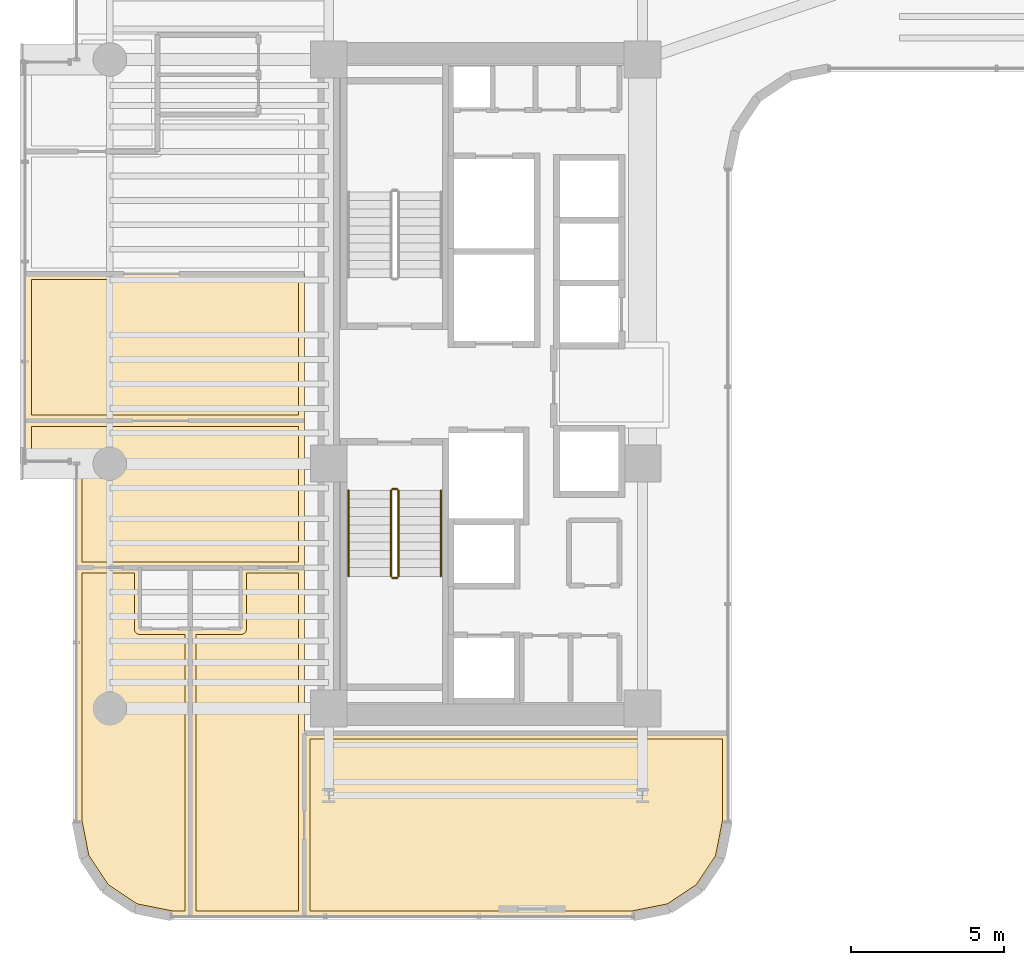
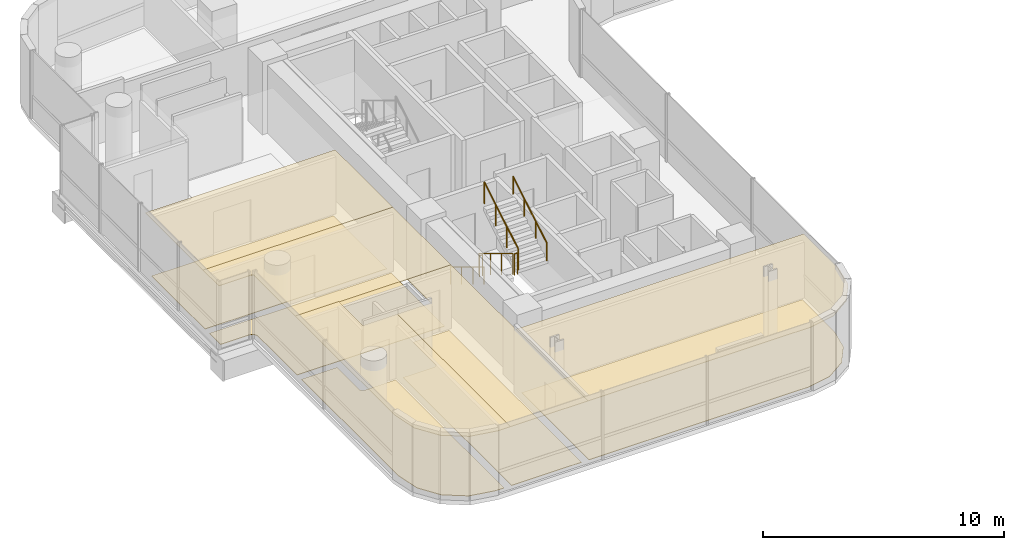
# One storey, part 31 of 35: 10 coverings, 6 railings.
"""IFC4 building model written with IfcOpenShell, lengths in metres."""

import ifcopenshell
import ifcopenshell.guid

model = None  # the IFC model being written
_history = None  # IfcOwnerHistory: only IFC2X3 demands one
_inside = {}  # id of a spatial element -> (the spatial element, [elements in it])
_under = {}  # id of a project, library or spatial element -> (it, [spatial elements below it])
_declared = {}  # id of a project -> (the project, [libraries it declares])
_typed = {}  # id of a type object -> (the type object, [elements of that type])
_made_of = {}  # id of a material, layer set ... -> (it, [elements and type objects made of it])


def new_model(schema):
    """Start an empty IFC model of exactly this schema.

    Asked for "IFC4X3", IfcOpenShell would pick the latest addendum, in which some entities
    have other attributes; the version numbers below select the first issue.
    IFC2X3 requires an IfcOwnerHistory on every rooted entity: one is made here for all.
    """
    global model, _history
    if schema == "IFC4X3":
        model = ifcopenshell.file(schema_version=(4, 3, 0, 0))
    else:
        model = ifcopenshell.file(schema=schema)
    _inside.clear()
    _under.clear()
    _declared.clear()
    _typed.clear()
    _made_of.clear()
    _history = None
    if model.schema == "IFC2X3":
        org = make("IfcOrganization", Name="unknown")
        user = make(
            "IfcPersonAndOrganization",
            ThePerson=make("IfcPerson", FamilyName="unknown"),
            TheOrganization=org,
        )
        app = make(
            "IfcApplication",
            ApplicationDeveloper=org,
            Version="unknown",
            ApplicationFullName="unknown",
            ApplicationIdentifier="unknown",
        )
        _history = make(
            "IfcOwnerHistory",
            OwningUser=user,
            OwningApplication=app,
            ChangeAction="ADDED",
            CreationDate=0,
        )
    return model


def make(cls, **values):
    """One entity of the class cls with the attributes given. An attribute that is None is left unset."""
    return model.create_entity(
        cls, **{name: value for name, value in values.items() if value is not None}
    )


def rooted(cls, **values):
    """An entity with a GlobalId (a new one), such as an element, a storey or a relation."""
    return make(cls, GlobalId=ifcopenshell.guid.new(), OwnerHistory=_history, **values)


def si_unit(unit_type, name, prefix=None):
    """IfcSIUnit, for example si_unit("LENGTHUNIT", "METRE", prefix="MILLI")."""
    return make("IfcSIUnit", UnitType=unit_type, Prefix=prefix, Name=name)


def assignment(units):
    """IfcUnitAssignment: the units of a project."""
    return None if units is None else make("IfcUnitAssignment", Units=units)


def point(xyz):
    """IfcCartesianPoint."""
    return None if xyz is None else make("IfcCartesianPoint", Coordinates=xyz)


def direction(xyz):
    """IfcDirection."""
    return None if xyz is None else make("IfcDirection", DirectionRatios=xyz)


def frame(location, z_axis=None, x_axis=None):
    """IfcAxis2Placement3D, a coordinate frame: its origin and axes. An axis left out is left unset."""
    return make(
        "IfcAxis2Placement3D",
        Location=point(location),
        Axis=direction(z_axis),
        RefDirection=direction(x_axis),
    )


def frame_2d(location, x_axis=None):
    """IfcAxis2Placement2D, a coordinate frame in the plane: its origin and x axis."""
    return make(
        "IfcAxis2Placement2D", Location=point(location), RefDirection=direction(x_axis)
    )


def origin():
    """The frame at (0, 0, 0) with its axes left unset."""
    return frame((0.0, 0.0, 0.0))


def origin_2d():
    """The frame at (0, 0) in the plane with its x axis left unset."""
    return frame_2d((0.0, 0.0))


def place(relative_to, where):
    """IfcLocalPlacement: puts the frame where relative to a parent placement (None: the world)."""
    return make(
        "IfcLocalPlacement", PlacementRelTo=relative_to, RelativePlacement=where
    )


def context(
    kind, dimensions, precision=None, world=None, true_north=None, identifier=None
):
    """IfcGeometricRepresentationContext, for example the 3D "Model" context."""
    return make(
        "IfcGeometricRepresentationContext",
        ContextIdentifier=identifier,
        ContextType=kind,
        CoordinateSpaceDimension=dimensions,
        Precision=precision,
        WorldCoordinateSystem=world,
        TrueNorth=true_north,
    )


def subcontext(parent, identifier, kind, view, scale=None):
    """IfcGeometricRepresentationSubContext, for example "Body" below "Model"."""
    return make(
        "IfcGeometricRepresentationSubContext",
        ContextIdentifier=identifier,
        ContextType=kind,
        ParentContext=parent,
        TargetScale=scale,
        TargetView=view,
    )


def project(units=None, contexts=None):
    """IfcProject with its units and contexts."""
    return rooted(
        "IfcProject",
        Name="project",
        RepresentationContexts=contexts,
        UnitsInContext=assignment(units),
    )


def spatial(cls, under=None, at=None, **own):
    """A site, building, storey or space (cls), placed at a placement, below another one or the project."""
    s = rooted(cls, ObjectPlacement=at, **own)
    if under is not None:
        _under.setdefault(under.id(), (under, []))[1].append(s)
    return s


def polyline(points):
    """IfcPolyline through the points."""
    return make("IfcPolyline", Points=[point(p) for p in points])


def profile(cls, at=None, kind="AREA", **sizes):
    """A parametric profile (cls). Its sizes go by their IFC names, for example OverallWidth=200.0."""
    return make(cls, ProfileType=kind, Position=at, **sizes)


def circle(**sizes):
    """IfcCircleProfileDef."""
    return profile("IfcCircleProfileDef", **sizes)


def outline(outer, holes=None, kind="AREA"):
    """IfcArbitraryClosedProfileDef: a profile drawn as a closed curve; with holes, ...WithVoids."""
    if holes is None:
        return make("IfcArbitraryClosedProfileDef", ProfileType=kind, OuterCurve=outer)
    return make(
        "IfcArbitraryProfileDefWithVoids",
        ProfileType=kind,
        OuterCurve=outer,
        InnerCurves=holes,
    )


def extrude(swept, where, along, depth):
    """IfcExtrudedAreaSolid: the profile swept, set in the frame where, extruded along a direction by depth."""
    return make(
        "IfcExtrudedAreaSolid",
        SweptArea=swept,
        Position=where,
        ExtrudedDirection=direction(along),
        Depth=depth,
    )


def shape(context_of_items, identifier, shape_type, items):
    """IfcShapeRepresentation: the items that make up one representation, for example the "Body"."""
    return make(
        "IfcShapeRepresentation",
        ContextOfItems=context_of_items,
        RepresentationIdentifier=identifier,
        RepresentationType=shape_type,
        Items=items,
    )


def material(Name=None, Category=None):
    """IfcMaterial."""
    return make("IfcMaterial", Name=Name, Category=Category)


def layer(
    of_material, thickness, ventilated=None, Name=None, Category=None, Priority=None
):
    """IfcMaterialLayer: one layer of a wall or slab, of a material (None: an air gap)."""
    return make(
        "IfcMaterialLayer",
        Material=of_material,
        LayerThickness=thickness,
        IsVentilated=ventilated,
        Name=Name,
        Category=Category,
        Priority=Priority,
    )


def layer_set(layers, Name=None):
    """IfcMaterialLayerSet."""
    return make("IfcMaterialLayerSet", MaterialLayers=layers, LayerSetName=Name)


def made_of(thing, what):
    """Note that an element or type object is made of a material, layer set ...; save() writes the relation."""
    if what is not None:
        _made_of.setdefault(what.id(), (what, []))[1].append(thing)
    return thing


def type_object(cls, material=None, **own):
    """A type object (cls), such as IfcWallType, which elements share."""
    return made_of(rooted(cls, **own), material)


def element(
    cls,
    number,
    at=None,
    inside=None,
    cuts=None,
    type_object=None,
    material=None,
    context=None,
    identifier="Body",
    shape_type=None,
    held_by="IfcProductDefinitionShape",
    body=None,
    shapes=None,
    **own,
):
    """One element of the class cls, such as IfcWall. Its Tag is "e" and its number.

    at: its placement. inside: the storey or other place that contains it. cuts: it is an
    opening in that element (IfcRelVoidsElement). A single representation is given by context,
    identifier, shape_type and body (its items); several are given by shapes. held_by: the class
    of the entity that holds the representations. save() writes the other relations.
    """
    e = rooted(cls, Tag="e%d" % number, ObjectPlacement=at, **own)
    if body is not None:
        shapes = [shape(context, identifier, shape_type, body)]
    if shapes is not None:
        e.Representation = make(held_by, Representations=shapes)
    if inside is not None:
        _inside.setdefault(inside.id(), (inside, []))[1].append(e)
    if cuts is not None:
        rooted(
            "IfcRelVoidsElement", RelatingBuildingElement=cuts, RelatedOpeningElement=e
        )
    if type_object is not None:
        _typed.setdefault(type_object.id(), (type_object, []))[1].append(e)
    return made_of(e, material)


def aggregate(whole, parts):
    """IfcRelAggregates: a whole, such as a stair, and the parts it consists of."""
    return rooted("IfcRelAggregates", RelatingObject=whole, RelatedObjects=parts)


def save(model, path):
    """Write the relations noted so far, then the file.

    IfcRelAggregates (storeys below a building ...), IfcRelContainedInSpatialStructure (elements
    in a storey), IfcRelDefinesByType, IfcRelAssociatesMaterial and IfcRelDeclares: one each for
    every whole, place, type object, material and project.
    """
    for whole, parts in _under.values():
        aggregate(whole, parts)
    for where, things in _inside.values():
        rooted(
            "IfcRelContainedInSpatialStructure",
            RelatedElements=things,
            RelatingStructure=where,
        )
    for kind, things in _typed.values():
        rooted("IfcRelDefinesByType", RelatedObjects=things, RelatingType=kind)
    for what, things in _made_of.values():
        rooted("IfcRelAssociatesMaterial", RelatedObjects=things, RelatingMaterial=what)
    for by, libraries in _declared.values():
        rooted("IfcRelDeclares", RelatingContext=by, RelatedDefinitions=libraries)
    model.write(path)


model = new_model("IFC4")

# Units and contexts
model_context = context("Model", 3, precision=1e-05, world=origin(), true_north=direction((0.0, 1.0)))
body_context = subcontext(model_context, "Body", "Model", "MODEL_VIEW")
ifc_project = project(units=[si_unit("LENGTHUNIT", "METRE"), si_unit("AREAUNIT", "SQUARE_METRE"), si_unit("VOLUMEUNIT", "CUBIC_METRE"), si_unit("PLANEANGLEUNIT", "RADIAN"), si_unit("MASSUNIT", "GRAM", prefix="KILO")], contexts=[model_context])

# Site, building, storey
site_placement = place(None, origin())
site = spatial("IfcSite", under=ifc_project, at=site_placement, CompositionType="ELEMENT")
building_placement = place(site_placement, origin())
building = spatial("IfcBuilding", under=site, at=building_placement, Name="Valdorenza Pilgrim Sanctuary Tower", CompositionType="ELEMENT")
storey_placement = place(building_placement, frame((0.0, 0.0, 139.0)))
storey = spatial("IfcBuildingStorey", under=building, at=storey_placement, Name="L35", CompositionType="ELEMENT", Elevation=139.0)

# Coverings
ifc_material_1 = material(Name="Micro-perforated acoustic mineral ceiling tile", Category="gypsum")
ifc_layer_1 = layer(ifc_material_1, 0.02490234375, Name="Micro-perforated acoustic mineral ceiling tile")
ifc_layer_set_1 = layer_set([ifc_layer_1], Name="Micro-perforated acoustic mineral ceiling tile")
covering_type_1 = type_object("IfcCoveringType", Name="COV-CLG-ACU", PredefinedType="CEILING", material=ifc_layer_set_1)
covering_1_placement = place(storey_placement, frame((0.0, 0.0, 3.159912109375)))
element("IfcCovering", 1, at=covering_1_placement, inside=storey, type_object=covering_type_1, Name="L35 Pilgrim Guest Room L35-CS1A Acoustic Ceiling", PredefinedType="CEILING", context=body_context, shape_type="SweptSolid", body=[
    extrude(outline(polyline([(-28.984619140625, -17.16748046875), (-28.986083984375, -17.1669921875), (-28.9873046875, -17.16650390625), (-28.98876953125, -17.166015625), (-28.989990234375, -17.165283203125), (-29.99169921875, -16.495849609375), (-29.992919921875, -16.4951171875), (-29.993896484375, -16.493896484375), (-29.9951171875, -16.492919921875), (-29.995849609375, -16.49169921875), (-30.665283203125, -15.489990234375), (-30.666015625, -15.48876953125), (-30.66650390625, -15.4873046875), (-30.6669921875, -15.486083984375), (-30.66748046875, -15.484619140625), (-30.90478515625, -14.2919921875), (-30.90478515625, -14.29052734375), (-30.905029296875, -14.289306640625), (-30.905029296875, -6.0), (-30.90478515625, -5.99853515625), (-30.90478515625, -5.9970703125), (-30.904296875, -5.99560546875), (-30.90380859375, -5.994384765625), (-30.9033203125, -5.992919921875), (-30.902587890625, -5.99169921875), (-30.901611328125, -5.990478515625), (-30.900634765625, -5.989501953125), (-30.8994140625, -5.98828125), (-30.898193359375, -5.987548828125), (-30.897216796875, -5.98681640625), (-30.895751953125, -5.986083984375), (-30.894287109375, -5.985595703125), (-30.892822265625, -5.9853515625), (-30.8916015625, -5.985107421875), (-30.889892578125, -5.985107421875), (-28.822021484375, -5.985107421875), (-28.820556640625, -5.985107421875), (-28.819091796875, -5.9853515625), (-28.817626953125, -5.985595703125), (-28.81640625, -5.986083984375), (-28.81494140625, -5.98681640625), (-28.813720703125, -5.987548828125), (-28.8125, -5.98828125), (-28.811279296875, -5.989501953125), (-28.810302734375, -5.990478515625), (-28.8095703125, -5.99169921875), (-28.808837890625, -5.992919921875), (-28.80810546875, -5.994384765625), (-28.8076171875, -5.99560546875), (-28.807373046875, -5.9970703125), (-28.80712890625, -5.99853515625), (-28.806884765625, -6.0), (-28.806884765625, -7.987060546875), (-27.169921875, -7.987060546875), (-27.16845703125, -7.987060546875), (-27.1669921875, -7.9873046875), (-27.16552734375, -7.987548828125), (-27.164306640625, -7.988037109375), (-27.162841796875, -7.98876953125), (-27.16162109375, -7.989501953125), (-27.160400390625, -7.990478515625), (-27.159423828125, -7.991455078125), (-27.158447265625, -7.992431640625), (-27.157470703125, -7.99365234375), (-27.15673828125, -7.994873046875), (-27.156005859375, -7.996337890625), (-27.155517578125, -7.99755859375), (-27.1552734375, -7.9990234375), (-27.155029296875, -8.00048828125), (-27.155029296875, -8.001953125), (-27.155029296875, -17.389892578125), (-27.155029296875, -17.3916015625), (-27.1552734375, -17.392822265625), (-27.155517578125, -17.394287109375), (-27.156005859375, -17.395751953125), (-27.15673828125, -17.397216796875), (-27.157470703125, -17.398193359375), (-27.158447265625, -17.3994140625), (-27.159423828125, -17.400634765625), (-27.160400390625, -17.401611328125), (-27.16162109375, -17.402587890625), (-27.162841796875, -17.4033203125), (-27.164306640625, -17.40380859375), (-27.16552734375, -17.404296875), (-27.1669921875, -17.40478515625), (-27.16845703125, -17.40478515625), (-27.169921875, -17.405029296875), (-27.789306640625, -17.405029296875), (-27.79052734375, -17.40478515625), (-27.7919921875, -17.40478515625), (-28.984619140625, -17.16748046875)])), origin(), (0.0, 0.0, 1.0), 0.025146484375),
])
covering_2_placement = place(storey_placement, frame((0.0, 0.0, 3.159912109375)))
element("IfcCovering", 2, at=covering_2_placement, inside=storey, type_object=covering_type_1, Name="L35 Pilgrim Guest Room L35-CS1B Acoustic Ceiling", PredefinedType="CEILING", context=body_context, shape_type="SweptSolid", body=[
    extrude(outline(polyline([(-27.16796875, -17.405029296875), (-27.16943359375, -17.40478515625), (-27.1708984375, -17.40478515625), (-27.17236328125, -17.404296875), (-27.173583984375, -17.40380859375), (-27.175048828125, -17.4033203125), (-27.17626953125, -17.402587890625), (-27.177490234375, -17.401611328125), (-27.1787109375, -17.400634765625), (-27.1796875, -17.3994140625), (-27.180419921875, -17.398193359375), (-27.18115234375, -17.397216796875), (-27.181884765625, -17.395751953125), (-27.182373046875, -17.394287109375), (-27.1826171875, -17.392822265625), (-27.182861328125, -17.3916015625), (-27.18310546875, -17.389892578125), (-27.18310546875, -8.001953125), (-27.182861328125, -8.00048828125), (-27.1826171875, -7.9990234375), (-27.182373046875, -7.99755859375), (-27.181884765625, -7.996337890625), (-27.18115234375, -7.994873046875), (-27.180419921875, -7.99365234375), (-27.1796875, -7.992431640625), (-27.1787109375, -7.991455078125), (-27.177490234375, -7.990478515625), (-27.17626953125, -7.989501953125), (-27.175048828125, -7.98876953125), (-27.173583984375, -7.988037109375), (-27.17236328125, -7.987548828125), (-27.1708984375, -7.9873046875), (-27.16943359375, -7.987060546875), (-27.16796875, -7.987060546875), (-25.532958984375, -7.987060546875), (-25.532958984375, -6.0), (-25.532958984375, -5.99853515625), (-25.53271484375, -5.9970703125), (-25.532470703125, -5.99560546875), (-25.531982421875, -5.994384765625), (-25.53125, -5.992919921875), (-25.530517578125, -5.99169921875), (-25.529541015625, -5.990478515625), (-25.528564453125, -5.989501953125), (-25.527587890625, -5.98828125), (-25.5263671875, -5.987548828125), (-25.525146484375, -5.98681640625), (-25.523681640625, -5.986083984375), (-25.5224609375, -5.985595703125), (-25.52099609375, -5.9853515625), (-25.51953125, -5.985107421875), (-25.51806640625, -5.985107421875), (-23.449951171875, -5.985107421875), (-23.448486328125, -5.985107421875), (-23.447021484375, -5.9853515625), (-23.445556640625, -5.985595703125), (-23.4443359375, -5.986083984375), (-23.44287109375, -5.98681640625), (-23.441650390625, -5.987548828125), (-23.4404296875, -5.98828125), (-23.439453125, -5.989501953125), (-23.4384765625, -5.990478515625), (-23.4375, -5.99169921875), (-23.436767578125, -5.992919921875), (-23.43603515625, -5.994384765625), (-23.435546875, -5.99560546875), (-23.435302734375, -5.9970703125), (-23.43505859375, -5.99853515625), (-23.43505859375, -6.0), (-23.43505859375, -17.389892578125), (-23.43505859375, -17.3916015625), (-23.435302734375, -17.392822265625), (-23.435546875, -17.394287109375), (-23.43603515625, -17.395751953125), (-23.436767578125, -17.397216796875), (-23.4375, -17.398193359375), (-23.4384765625, -17.3994140625), (-23.439453125, -17.400634765625), (-23.4404296875, -17.401611328125), (-23.441650390625, -17.402587890625), (-23.44287109375, -17.4033203125), (-23.4443359375, -17.40380859375), (-23.445556640625, -17.404296875), (-23.447021484375, -17.40478515625), (-23.448486328125, -17.40478515625), (-23.449951171875, -17.405029296875), (-27.16796875, -17.405029296875)])), origin(), (0.0, 0.0, 1.0), 0.025146484375),
])
covering_3_placement = place(storey_placement, frame((0.0, 0.0, 3.159912109375)))
element("IfcCovering", 3, at=covering_3_placement, inside=storey, type_object=covering_type_1, Name="L35 South Contemplation Salon L35 Acoustic Ceiling", PredefinedType="CEILING", context=body_context, shape_type="SweptSolid", body=[
    extrude(outline(polyline([(-28.82373046875, -6.012939453125), (-30.889892578125, -6.012939453125), (-30.8916015625, -6.012939453125), (-30.892822265625, -6.0126953125), (-30.894287109375, -6.012451171875), (-30.895751953125, -6.011962890625), (-30.897216796875, -6.01123046875), (-30.898193359375, -6.010498046875), (-30.8994140625, -6.009521484375), (-30.900634765625, -6.008544921875), (-30.901611328125, -6.007568359375), (-30.902587890625, -6.00634765625), (-30.9033203125, -6.005126953125), (-30.90380859375, -6.003662109375), (-30.904296875, -6.00244140625), (-30.90478515625, -6.0009765625), (-30.90478515625, -5.99951171875), (-30.905029296875, -5.998046875), (-30.905029296875, -2.600341796875), (-30.905517578125, -2.5908203125), (-30.90673828125, -2.58154296875), (-30.9091796875, -2.572509765625), (-30.912109375, -2.563720703125), (-30.916259765625, -2.55517578125), (-30.9208984375, -2.547119140625), (-30.926513671875, -2.539794921875), (-30.932861328125, -2.53271484375), (-30.939697265625, -2.526611328125), (-30.947265625, -2.52099609375), (-30.955078125, -2.51611328125), (-30.963623046875, -2.51220703125), (-30.972412109375, -2.509033203125), (-30.9814453125, -2.5068359375), (-30.99072265625, -2.505615234375), (-31.00048828125, -2.5048828125), (-32.5400390625, -2.5048828125), (-32.54150390625, -2.5048828125), (-32.54296875, -2.504638671875), (-32.54443359375, -2.50439453125), (-32.545654296875, -2.50390625), (-32.547119140625, -2.503173828125), (-32.54833984375, -2.50244140625), (-32.549560546875, -2.501708984375), (-32.550537109375, -2.50048828125), (-32.551513671875, -2.49951171875), (-32.552490234375, -2.498291015625), (-32.55322265625, -2.4970703125), (-32.553955078125, -2.49560546875), (-32.554443359375, -2.494384765625), (-32.5546875, -2.492919921875), (-32.554931640625, -2.491455078125), (-32.554931640625, -2.489990234375), (-32.554931640625, -1.199951171875), (-32.554931640625, -1.198486328125), (-32.5546875, -1.197021484375), (-32.554443359375, -1.195556640625), (-32.553955078125, -1.1943359375), (-32.55322265625, -1.19287109375), (-32.552490234375, -1.191650390625), (-32.551513671875, -1.1904296875), (-32.550537109375, -1.189453125), (-32.549560546875, -1.1884765625), (-32.54833984375, -1.1875), (-32.547119140625, -1.186767578125), (-32.545654296875, -1.18603515625), (-32.54443359375, -1.185546875), (-32.54296875, -1.185302734375), (-32.54150390625, -1.18505859375), (-32.5400390625, -1.18505859375), (-23.449951171875, -1.18505859375), (-23.448486328125, -1.18505859375), (-23.447021484375, -1.185302734375), (-23.445556640625, -1.185546875), (-23.4443359375, -1.18603515625), (-23.44287109375, -1.186767578125), (-23.441650390625, -1.1875), (-23.4404296875, -1.1884765625), (-23.439453125, -1.189453125), (-23.4384765625, -1.1904296875), (-23.4375, -1.191650390625), (-23.436767578125, -1.19287109375), (-23.43603515625, -1.1943359375), (-23.435546875, -1.195556640625), (-23.435302734375, -1.197021484375), (-23.43505859375, -1.198486328125), (-23.43505859375, -1.199951171875), (-23.43505859375, -5.998046875), (-23.43505859375, -5.99951171875), (-23.435302734375, -6.0009765625), (-23.435546875, -6.00244140625), (-23.43603515625, -6.003662109375), (-23.436767578125, -6.005126953125), (-23.4375, -6.00634765625), (-23.4384765625, -6.007568359375), (-23.439453125, -6.008544921875), (-23.4404296875, -6.009521484375), (-23.441650390625, -6.010498046875), (-23.44287109375, -6.01123046875), (-23.4443359375, -6.011962890625), (-23.445556640625, -6.012451171875), (-23.447021484375, -6.0126953125), (-23.448486328125, -6.012939453125), (-23.449951171875, -6.012939453125), (-25.516357421875, -6.012939453125), (-25.516845703125, -6.01318359375), (-25.5185546875, -6.01318359375), (-25.52001953125, -6.01318359375), (-25.521484375, -6.01318359375), (-25.521728515625, -6.012939453125), (-27.166259765625, -6.012939453125), (-27.1669921875, -6.01318359375), (-27.16845703125, -6.01318359375), (-27.169921875, -6.01318359375), (-27.17138671875, -6.01318359375), (-27.171875, -6.012939453125), (-28.818359375, -6.012939453125), (-28.81884765625, -6.01318359375), (-28.820556640625, -6.01318359375), (-28.822021484375, -6.01318359375), (-28.823486328125, -6.01318359375), (-28.82373046875, -6.012939453125)])), origin(), (0.0, 0.0, 1.0), 0.025146484375),
])
covering_4_placement = place(storey_placement, frame((0.0, 0.0, 3.159912109375)))
element("IfcCovering", 4, at=covering_4_placement, inside=storey, type_object=covering_type_1, Name="L35 Pilgrim Reading Lounge L35 Acoustic Ceiling", PredefinedType="CEILING", context=body_context, shape_type="SweptSolid", body=[
    extrude(outline(polyline([(-23.43505859375, -1.197998046875), (-23.43505859375, -1.199462890625), (-23.435302734375, -1.200927734375), (-23.435546875, -1.202392578125), (-23.43603515625, -1.20361328125), (-23.436767578125, -1.205078125), (-23.4375, -1.206298828125), (-23.4384765625, -1.20751953125), (-23.439453125, -1.20849609375), (-23.4404296875, -1.209716796875), (-23.441650390625, -1.21044921875), (-23.44287109375, -1.211181640625), (-23.4443359375, -1.2119140625), (-23.445556640625, -1.21240234375), (-23.447021484375, -1.212646484375), (-23.448486328125, -1.212890625), (-23.449951171875, -1.212890625), (-32.5400390625, -1.212890625), (-32.54150390625, -1.212890625), (-32.54296875, -1.212646484375), (-32.54443359375, -1.21240234375), (-32.545654296875, -1.2119140625), (-32.547119140625, -1.211181640625), (-32.54833984375, -1.21044921875), (-32.549560546875, -1.209716796875), (-32.550537109375, -1.20849609375), (-32.551513671875, -1.20751953125), (-32.552490234375, -1.206298828125), (-32.55322265625, -1.205078125), (-32.553955078125, -1.20361328125), (-32.554443359375, -1.202392578125), (-32.5546875, -1.200927734375), (-32.554931640625, -1.199462890625), (-32.554931640625, -1.197998046875), (-32.554931640625, 3.60009765625), (-32.554931640625, 3.6015625), (-32.5546875, 3.602783203125), (-32.554443359375, 3.6044921875), (-32.553955078125, 3.605712890625), (-32.55322265625, 3.607177734375), (-32.552490234375, 3.6083984375), (-32.551513671875, 3.609619140625), (-32.550537109375, 3.610595703125), (-32.549560546875, 3.611572265625), (-32.54833984375, 3.612548828125), (-32.547119140625, 3.61328125), (-32.545654296875, 3.614013671875), (-32.54443359375, 3.614501953125), (-32.54296875, 3.61474609375), (-32.54150390625, 3.614990234375), (-32.5400390625, 3.614990234375), (-23.449951171875, 3.614990234375), (-23.448486328125, 3.614990234375), (-23.447021484375, 3.61474609375), (-23.445556640625, 3.614501953125), (-23.4443359375, 3.614013671875), (-23.44287109375, 3.61328125), (-23.441650390625, 3.612548828125), (-23.4404296875, 3.611572265625), (-23.439453125, 3.610595703125), (-23.4384765625, 3.609619140625), (-23.4375, 3.6083984375), (-23.436767578125, 3.607177734375), (-23.43603515625, 3.605712890625), (-23.435546875, 3.6044921875), (-23.435302734375, 3.602783203125), (-23.43505859375, 3.6015625), (-23.43505859375, 3.60009765625), (-23.43505859375, -1.197998046875)])), origin(), (0.0, 0.0, 1.0), 0.025146484375),
])
covering_5_placement = place(storey_placement, frame((0.0, 0.0, 3.159912109375)))
element("IfcCovering", 5, at=covering_5_placement, inside=storey, type_object=covering_type_1, Name="L35 Sacred Archive Reading Library L35-S Acoustic Ceiling", PredefinedType="CEILING", context=body_context, shape_type="SweptSolid", body=[
    extrude(outline(polyline([(-9.610107421875, -11.405029296875), (-9.6083984375, -11.405029296875), (-9.607177734375, -11.4052734375), (-9.605712890625, -11.405517578125), (-9.604248046875, -11.406005859375), (-9.602783203125, -11.40673828125), (-9.601806640625, -11.407470703125), (-9.6005859375, -11.408447265625), (-9.599365234375, -11.409423828125), (-9.598388671875, -11.410400390625), (-9.597412109375, -11.41162109375), (-9.5966796875, -11.412841796875), (-9.59619140625, -11.414306640625), (-9.595703125, -11.41552734375), (-9.59521484375, -11.4169921875), (-9.59521484375, -11.41845703125), (-9.594970703125, -11.419921875), (-9.594970703125, -14.289306640625), (-9.59521484375, -14.29052734375), (-9.59521484375, -14.2919921875), (-9.83251953125, -15.484619140625), (-9.8330078125, -15.486083984375), (-9.83349609375, -15.4873046875), (-9.833984375, -15.48876953125), (-9.834716796875, -15.489990234375), (-10.504150390625, -16.49169921875), (-10.5048828125, -16.492919921875), (-10.506103515625, -16.493896484375), (-10.507080078125, -16.4951171875), (-10.50830078125, -16.495849609375), (-11.510009765625, -17.165283203125), (-11.51123046875, -17.166015625), (-11.5126953125, -17.16650390625), (-11.513916015625, -17.1669921875), (-11.515380859375, -17.16748046875), (-12.7080078125, -17.40478515625), (-12.70947265625, -17.40478515625), (-12.710693359375, -17.405029296875), (-23.447998046875, -17.405029296875), (-23.449462890625, -17.40478515625), (-23.450927734375, -17.40478515625), (-23.452392578125, -17.404296875), (-23.45361328125, -17.40380859375), (-23.455078125, -17.4033203125), (-23.456298828125, -17.402587890625), (-23.45751953125, -17.401611328125), (-23.45849609375, -17.400634765625), (-23.459716796875, -17.3994140625), (-23.46044921875, -17.398193359375), (-23.461181640625, -17.397216796875), (-23.4619140625, -17.395751953125), (-23.46240234375, -17.394287109375), (-23.462646484375, -17.392822265625), (-23.462890625, -17.3916015625), (-23.462890625, -17.389892578125), (-23.462890625, -11.419921875), (-23.462890625, -11.41845703125), (-23.462646484375, -11.4169921875), (-23.46240234375, -11.41552734375), (-23.4619140625, -11.414306640625), (-23.461181640625, -11.412841796875), (-23.46044921875, -11.41162109375), (-23.459716796875, -11.410400390625), (-23.45849609375, -11.409423828125), (-23.45751953125, -11.408447265625), (-23.456298828125, -11.407470703125), (-23.455078125, -11.40673828125), (-23.45361328125, -11.406005859375), (-23.452392578125, -11.405517578125), (-23.450927734375, -11.4052734375), (-23.449462890625, -11.405029296875), (-23.447998046875, -11.405029296875), (-9.610107421875, -11.405029296875)])), origin(), (0.0, 0.0, 1.0), 0.025146484375),
])
ifc_material_2 = material(Name="Engineered European oak timber flooring", Category="wood")
ifc_layer_2 = layer(ifc_material_2, 0.02197265625, Name="Engineered European oak timber flooring")
ifc_layer_set_2 = layer_set([ifc_layer_2], Name="Engineered European oak timber flooring")
covering_type_2 = type_object("IfcCoveringType", Name="COV-FLR-OAK", PredefinedType="FLOORING", material=ifc_layer_set_2)
covering_6_placement = place(storey_placement, origin())
element("IfcCovering", 6, at=covering_6_placement, inside=storey, type_object=covering_type_2, Name="L35 Pilgrim Guest Room L35-CS1A Flooring", PredefinedType="FLOORING", context=body_context, shape_type="SweptSolid", body=[
    extrude(outline(polyline([(-28.911376953125, -16.983154296875), (-29.853515625, -16.353515625), (-30.483154296875, -15.411376953125), (-30.7099609375, -14.271484375), (-30.7099609375, -6.179931640625), (-29.001953125, -6.179931640625), (-29.001953125, -8.0), (-29.001708984375, -8.0087890625), (-29.001708984375, -8.009033203125), (-29.0, -8.026611328125), (-29.0, -8.02685546875), (-28.99658203125, -8.044189453125), (-28.99658203125, -8.044189453125), (-28.991455078125, -8.061279296875), (-28.9912109375, -8.061279296875), (-28.984619140625, -8.07763671875), (-28.984619140625, -8.077880859375), (-28.976318359375, -8.093505859375), (-28.97607421875, -8.093505859375), (-28.96630859375, -8.1083984375), (-28.966064453125, -8.1083984375), (-28.954833984375, -8.1220703125), (-28.954833984375, -8.122314453125), (-28.9423828125, -8.134765625), (-28.942138671875, -8.135009765625), (-28.928466796875, -8.14599609375), (-28.92822265625, -8.146240234375), (-28.91357421875, -8.156005859375), (-28.91357421875, -8.15625), (-28.89794921875, -8.16455078125), (-28.897705078125, -8.16455078125), (-28.88134765625, -8.17138671875), (-28.881103515625, -8.17138671875), (-28.8642578125, -8.176513671875), (-28.864013671875, -8.176513671875), (-28.8466796875, -8.179931640625), (-28.8466796875, -8.179931640625), (-28.8291015625, -8.181884765625), (-28.828857421875, -8.181884765625), (-28.820068359375, -8.181884765625), (-27.35009765625, -8.181884765625), (-27.35009765625, -17.2099609375), (-27.771484375, -17.2099609375), (-28.911376953125, -16.983154296875)])), origin(), (0.0, 0.0, 1.0), 0.02490234375),
])
covering_7_placement = place(storey_placement, origin())
element("IfcCovering", 7, at=covering_7_placement, inside=storey, type_object=covering_type_2, Name="L35 Pilgrim Guest Room L35-CS1B Flooring", PredefinedType="FLOORING", context=body_context, shape_type="SweptSolid", body=[
    extrude(outline(polyline([(-26.988037109375, -17.2099609375), (-26.988037109375, -8.181884765625), (-25.52001953125, -8.181884765625), (-25.51123046875, -8.181884765625), (-25.510986328125, -8.181884765625), (-25.493408203125, -8.179931640625), (-25.4931640625, -8.179931640625), (-25.475830078125, -8.176513671875), (-25.4755859375, -8.176513671875), (-25.458740234375, -8.17138671875), (-25.45849609375, -8.17138671875), (-25.4423828125, -8.16455078125), (-25.442138671875, -8.16455078125), (-25.426513671875, -8.15625), (-25.426513671875, -8.156005859375), (-25.41162109375, -8.146240234375), (-25.41162109375, -8.14599609375), (-25.39794921875, -8.135009765625), (-25.397705078125, -8.134765625), (-25.38525390625, -8.122314453125), (-25.385009765625, -8.1220703125), (-25.373779296875, -8.1083984375), (-25.373779296875, -8.1083984375), (-25.364013671875, -8.093505859375), (-25.36376953125, -8.093505859375), (-25.35546875, -8.077880859375), (-25.35546875, -8.07763671875), (-25.3486328125, -8.061279296875), (-25.3486328125, -8.061279296875), (-25.343505859375, -8.044189453125), (-25.343505859375, -8.044189453125), (-25.340087890625, -8.02685546875), (-25.340087890625, -8.026611328125), (-25.338134765625, -8.009033203125), (-25.338134765625, -8.0087890625), (-25.337890625, -8.0), (-25.337890625, -6.179931640625), (-23.6298828125, -6.179931640625), (-23.6298828125, -17.2099609375), (-26.988037109375, -17.2099609375)])), origin(), (0.0, 0.0, 1.0), 0.02490234375),
])
ifc_material_3 = material(Name="Honed travertine stone flooring", Category="masonry")
ifc_layer_3 = layer(ifc_material_3, 0.030029296875, Name="Honed travertine stone flooring")
ifc_layer_set_3 = layer_set([ifc_layer_3], Name="Honed travertine stone flooring")
covering_type_3 = type_object("IfcCoveringType", Name="COV-FLR-TRV", PredefinedType="FLOORING", material=ifc_layer_set_3)
covering_8_placement = place(storey_placement, origin())
element("IfcCovering", 8, at=covering_8_placement, inside=storey, type_object=covering_type_3, Name="L35 South Contemplation Salon L35 Flooring", PredefinedType="FLOORING", context=body_context, shape_type="SweptSolid", body=[
    extrude(outline(polyline([(-28.82177734375, -5.818115234375), (-28.822021484375, -5.818115234375), (-30.7099609375, -5.818115234375), (-30.7099609375, -2.60009765625), (-30.710205078125, -2.59130859375), (-30.710693359375, -2.580322265625), (-30.71240234375, -2.562744140625), (-30.714111328125, -2.552001953125), (-30.717529296875, -2.534912109375), (-30.72021484375, -2.5244140625), (-30.725341796875, -2.50732421875), (-30.72900390625, -2.497314453125), (-30.735595703125, -2.48095703125), (-30.740234375, -2.47119140625), (-30.74853515625, -2.45556640625), (-30.754150390625, -2.4462890625), (-30.763916015625, -2.431640625), (-30.7705078125, -2.423095703125), (-30.781494140625, -2.4091796875), (-30.788818359375, -2.4013671875), (-30.80126953125, -2.388916015625), (-30.809326171875, -2.381591796875), (-30.822998046875, -2.370361328125), (-30.831787109375, -2.364013671875), (-30.84619140625, -2.35400390625), (-30.855712890625, -2.3486328125), (-30.87109375, -2.34033203125), (-30.880859375, -2.335693359375), (-30.897216796875, -2.328857421875), (-30.907470703125, -2.3251953125), (-30.92431640625, -2.320068359375), (-30.934814453125, -2.3173828125), (-30.9521484375, -2.314208984375), (-30.962890625, -2.3125), (-30.98046875, -2.310791015625), (-30.9912109375, -2.310302734375), (-31.0, -2.31005859375), (-32.360107421875, -2.31005859375), (-32.360107421875, -1.3798828125), (-23.6298828125, -1.3798828125), (-23.6298828125, -5.818115234375), (-25.51806640625, -5.818115234375), (-25.51904296875, -5.818115234375), (-25.519775390625, -5.818115234375), (-25.52001953125, -5.818115234375), (-27.16796875, -5.818115234375), (-27.1689453125, -5.818115234375), (-27.169677734375, -5.818115234375), (-27.169921875, -5.818115234375), (-28.820068359375, -5.818115234375), (-28.821044921875, -5.818115234375), (-28.82177734375, -5.818115234375)])), origin(), (0.0, 0.0, 1.0), 0.02490234375),
])
covering_9_placement = place(storey_placement, origin())
element("IfcCovering", 9, at=covering_9_placement, inside=storey, type_object=covering_type_3, Name="L35 Pilgrim Reading Lounge L35 Flooring", PredefinedType="FLOORING", context=body_context, shape_type="SweptSolid", body=[
    extrude(outline(polyline([(-23.6298828125, -1.01806640625), (-32.360107421875, -1.01806640625), (-32.360107421875, 3.419921875), (-23.6298828125, 3.419921875), (-23.6298828125, -1.01806640625)])), origin(), (0.0, 0.0, 1.0), 0.02490234375),
])
covering_10_placement = place(storey_placement, origin())
element("IfcCovering", 10, at=covering_10_placement, inside=storey, type_object=covering_type_3, Name="L35 Sacred Archive Reading Library L35-S Flooring", PredefinedType="FLOORING", context=body_context, shape_type="SweptSolid", body=[
    extrude(outline(polyline([(-9.7900390625, -11.60009765625), (-9.7900390625, -14.271484375), (-10.016845703125, -15.411376953125), (-10.646484375, -16.353515625), (-11.588623046875, -16.983154296875), (-12.728515625, -17.2099609375), (-23.26806640625, -17.2099609375), (-23.26806640625, -11.60009765625), (-9.7900390625, -11.60009765625)])), origin(), (0.0, 0.0, 1.0), 0.02490234375),
])

# Railings
ifc_material_4 = material(Name="Stainless steel Grade 316", Category="steel")
railing_type_1 = type_object("IfcRailingType", Name="RLG-GRD-1120", PredefinedType="GUARDRAIL", material=ifc_material_4)
railing_1_placement = place(storey_placement, frame((-20.6201171875, -3.47998046875, 0.168212890625)))
element("IfcRailing", 11, at=railing_1_placement, inside=storey, type_object=railing_type_1, Name="L35 ST-A2 stair guard 1", PredefinedType="GUARDRAIL", context=body_context, shape_type="SweptSolid", body=[
    extrude(circle(Radius=0.02392578125, at=origin_2d()), frame((0.0, 0.0, 1.076171875), z_axis=(0.0, -0.857242210791, 0.514913383045), x_axis=(1.0, 0.0, 0.0)), (0.0, 0.0, 1.0), 3.266357421875),
    extrude(circle(Radius=0.02099609375, at=origin_2d()), origin(), (0.0, 0.0, 1.0), 1.052001953125),
    extrude(circle(Radius=0.02099609375, at=origin_2d()), frame((0.0, -0.933349609375, 0.560546875)), (0.0, 0.0, 1.0), 1.052001953125),
    extrude(circle(Radius=0.02099609375, at=origin_2d()), frame((0.0, -1.86669921875, 1.121337890625)), (0.0, 0.0, 1.0), 1.052001953125),
    extrude(circle(Radius=0.02099609375, at=origin_2d()), frame((0.0, -2.800048828125, 1.681884765625)), (0.0, 0.0, 1.0), 1.052001953125),
])
railing_2_placement = place(storey_placement, frame((-20.570068359375, -6.330078125, 1.85009765625)))
element("IfcRailing", 12, at=railing_2_placement, inside=storey, type_object=railing_type_1, Name="L35 ST-A2 stair guard 2", PredefinedType="GUARDRAIL", context=body_context, shape_type="SweptSolid", body=[
    extrude(circle(Radius=0.02392578125, at=origin_2d()), frame((0.0, 0.0, 1.076171875), z_axis=(1.0, 0.0, 0.0), x_axis=(0.0, 1.0, 0.0)), (0.0, 0.0, 1.0), 0.150146484375),
    extrude(circle(Radius=0.02099609375, at=origin_2d()), origin(), (0.0, 0.0, 1.0), 1.052001953125),
    extrude(circle(Radius=0.02099609375, at=origin_2d()), frame((0.150146484375, 0.0, 0.0)), (0.0, 0.0, 1.0), 1.052001953125),
])
railing_3_placement = place(storey_placement, frame((-20.3701171875, -6.280029296875, 2.01806640625)))
element("IfcRailing", 13, at=railing_3_placement, inside=storey, type_object=railing_type_1, Name="L35 ST-A2 stair guard 3", PredefinedType="GUARDRAIL", context=body_context, shape_type="SweptSolid", body=[
    extrude(circle(Radius=0.02392578125, at=origin_2d()), frame((0.0, 0.0, 1.076171875), z_axis=(0.0, 0.857242210791, 0.514913383045), x_axis=(-1.0, 0.0, 0.0)), (0.0, 0.0, 1.0), 3.266357421875),
    extrude(circle(Radius=0.02099609375, at=origin_2d()), origin(), (0.0, 0.0, 1.0), 1.052001953125),
    extrude(circle(Radius=0.02099609375, at=origin_2d()), frame((0.0, 0.933349609375, 0.560546875)), (0.0, 0.0, 1.0), 1.052001953125),
    extrude(circle(Radius=0.02099609375, at=origin_2d()), frame((0.0, 1.86669921875, 1.121337890625)), (0.0, 0.0, 1.0), 1.052001953125),
    extrude(circle(Radius=0.02099609375, at=origin_2d()), frame((0.0, 2.800048828125, 1.681884765625)), (0.0, 0.0, 1.0), 1.052001953125),
])
railing_4_placement = place(storey_placement, frame((-20.570068359375, -3.429931640625, 0.0)))
element("IfcRailing", 14, at=railing_4_placement, inside=storey, type_object=railing_type_1, Name="L35 ST-A2 stair guard 4", PredefinedType="GUARDRAIL", context=body_context, shape_type="SweptSolid", body=[
    extrude(circle(Radius=0.02392578125, at=origin_2d()), frame((0.0, 0.0, 1.076171875), z_axis=(1.0, 0.0, 0.0), x_axis=(0.0, 1.0, 0.0)), (0.0, 0.0, 1.0), 0.150146484375),
    extrude(circle(Radius=0.02099609375, at=origin_2d()), origin(), (0.0, 0.0, 1.0), 1.052001953125),
    extrude(circle(Radius=0.02099609375, at=origin_2d()), frame((0.150146484375, 0.0, 0.0)), (0.0, 0.0, 1.0), 1.052001953125),
])
ifc_material_5 = material(Name="Brushed stainless steel Grade 316", Category="steel")
railing_type_2 = type_object("IfcRailingType", Name="RLG-HND-920", PredefinedType="HANDRAIL", material=ifc_material_5)
railing_5_placement = place(storey_placement, frame((-22.0, -3.47998046875, 0.168212890625)))
element("IfcRailing", 15, at=railing_5_placement, inside=storey, type_object=railing_type_2, Name="L35 ST-A2 stair handrail 1", PredefinedType="HANDRAIL", context=body_context, shape_type="SweptSolid", body=[
    extrude(circle(Radius=0.02392578125, at=origin_2d()), frame((0.0, 0.0, 0.8759765625), z_axis=(0.0, -0.857242210791, 0.514913383045), x_axis=(1.0, 0.0, 0.0)), (0.0, 0.0, 1.0), 3.266357421875),
    extrude(circle(Radius=0.02099609375, at=origin_2d()), origin(), (0.0, 0.0, 1.0), 0.851806640625),
    extrude(circle(Radius=0.02099609375, at=origin_2d()), frame((0.0, -0.933349609375, 0.560546875)), (0.0, 0.0, 1.0), 0.851806640625),
    extrude(circle(Radius=0.02099609375, at=origin_2d()), frame((0.0, -1.86669921875, 1.121337890625)), (0.0, 0.0, 1.0), 0.851806640625),
    extrude(circle(Radius=0.02099609375, at=origin_2d()), frame((0.0, -2.800048828125, 1.681884765625)), (0.0, 0.0, 1.0), 0.851806640625),
])
railing_6_placement = place(storey_placement, frame((-18.989990234375, -6.280029296875, 2.01806640625)))
element("IfcRailing", 16, at=railing_6_placement, inside=storey, type_object=railing_type_2, Name="L35 ST-A2 stair handrail 2", PredefinedType="HANDRAIL", context=body_context, shape_type="SweptSolid", body=[
    extrude(circle(Radius=0.02392578125, at=origin_2d()), frame((0.0, 0.0, 0.8759765625), z_axis=(0.0, 0.857242210791, 0.514913383045), x_axis=(-1.0, 0.0, 0.0)), (0.0, 0.0, 1.0), 3.266357421875),
    extrude(circle(Radius=0.02099609375, at=origin_2d()), origin(), (0.0, 0.0, 1.0), 0.851806640625),
    extrude(circle(Radius=0.02099609375, at=origin_2d()), frame((0.0, 0.933349609375, 0.560546875)), (0.0, 0.0, 1.0), 0.851806640625),
    extrude(circle(Radius=0.02099609375, at=origin_2d()), frame((0.0, 1.86669921875, 1.121337890625)), (0.0, 0.0, 1.0), 0.851806640625),
    extrude(circle(Radius=0.02099609375, at=origin_2d()), frame((0.0, 2.800048828125, 1.681884765625)), (0.0, 0.0, 1.0), 0.851806640625),
])

save(model, "model.ifc")
